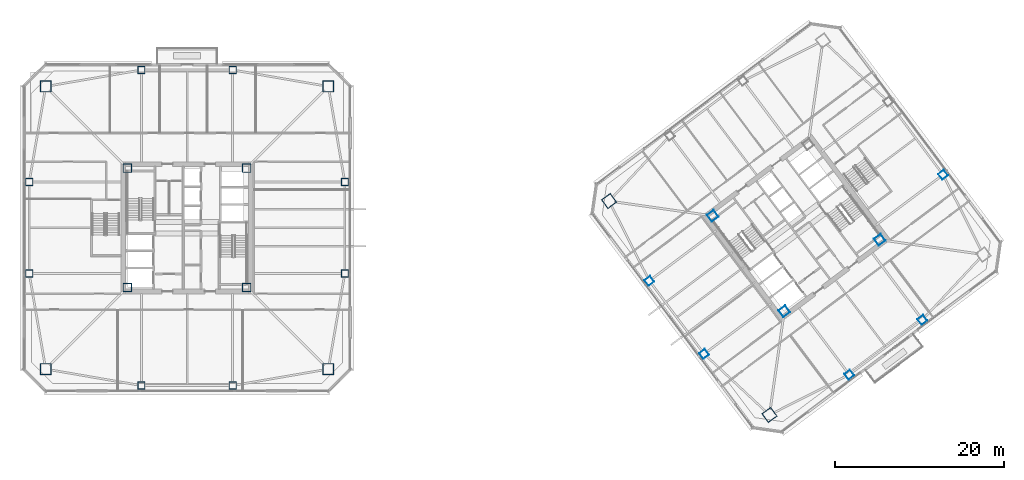
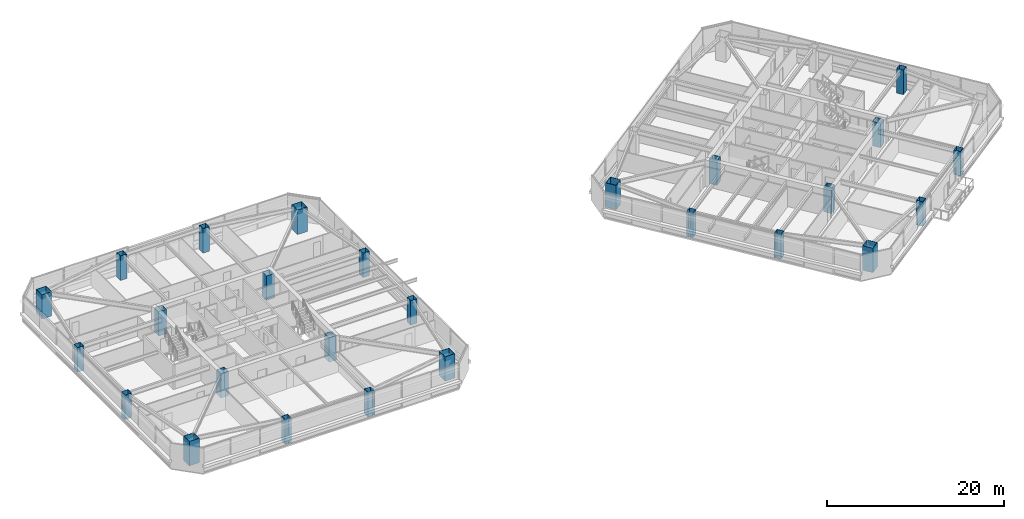
# One storey, part 1 of 46: 26 columns.
"""IFC4 building model written with IfcOpenShell, lengths in metres."""

from ifc_helpers import new_model, si_unit, direction, frame, origin, origin_2d, place, context, subcontext, project, spatial, hollow_rectangle, extrude, material, material_profile, profile_set, type_object, element, save


model = new_model("IFC4")

# Units and contexts
model_context = context("Model", 3, precision=1e-05, world=origin(), true_north=direction((0.0, 1.0)))
body_context = subcontext(model_context, "Body", "Model", "MODEL_VIEW")
ifc_project = project(units=[si_unit("LENGTHUNIT", "METRE"), si_unit("AREAUNIT", "SQUARE_METRE"), si_unit("VOLUMEUNIT", "CUBIC_METRE"), si_unit("PLANEANGLEUNIT", "RADIAN"), si_unit("MASSUNIT", "GRAM", prefix="KILO")], contexts=[model_context])

# Site, building, storey
site_placement = place(None, origin())
site = spatial("IfcSite", under=ifc_project, at=site_placement, CompositionType="ELEMENT")
building_placement = place(site_placement, origin())
building = spatial("IfcBuilding", under=site, at=building_placement, Name="Tashvorn Skyway Center", CompositionType="ELEMENT")
storey_placement = place(building_placement, frame((0.0, 0.0, 139.25)))
storey = spatial("IfcBuildingStorey", under=building, at=storey_placement, Name="L37", CompositionType="ELEMENT", Elevation=139.25)

# Columns
ifc_material = material(Name="Steel ASTM A572 Grade 50", Category="steel")
ifc_material_profile_1 = material_profile(ifc_material, hollow_rectangle(XDim=1.0, YDim=1.0, WallThickness=0.0400390625, at=origin_2d()), Name="BOX1000x1000x40")
ifc_profile_set_1 = profile_set([ifc_material_profile_1], Name="Steel ASTM A572 Grade 50")
column_type_1 = type_object("IfcColumnType", Name="COL-BOX1000x1000x40", PredefinedType="COLUMN", material=ifc_profile_set_1)
for number, where, z_axis, x_axis, name in (
    (1, (34.949951171875, 24.949951171875, 0.0), (0.0, 0.0, 1.0), (1.0, 0.0, 0.0), "Tower 1 L37 Core Corner Column CC-SW"),
    (2, (49.050048828125, 24.949951171875, 0.0), (0.0, 0.0, 1.0), (1.0, 0.0, 0.0), "Tower 1 L37 Core Corner Column CC-SE"),
    (3, (49.050048828125, 39.050048828125, 0.0), (0.0, 0.0, 1.0), (1.0, 0.0, 0.0), "Tower 1 L37 Core Corner Column CC-NE"),
    (4, (34.949951171875, 39.050048828125, 0.0), (0.0, 0.0, 1.0), (1.0, 0.0, 0.0), "Tower 1 L37 Core Corner Column CC-NW"),
    (5, (112.590087890625, 22.1298828125, 0.0), (0.0, 0.0, 1.0), (0.799999996291, 0.600000004945, 0.0), "Tower 2 L37 Core Corner Column CC-SW"),
    (6, (123.8701171875, 30.590087890625, 0.0), (0.0, 0.0, 1.0), (0.799999996291, 0.600000004945, 0.0), "Tower 2 L37 Core Corner Column CC-SE"),
    (7, (104.1298828125, 33.409912109375, 0.0), (0.0, 0.0, 1.0), (0.799999996291, 0.600000004945, 0.0), "Tower 2 L37 Core Corner Column CC-NW"),
):
    element("IfcColumn", number, at=place(storey_placement, frame(where, z_axis=z_axis, x_axis=x_axis)), inside=storey, type_object=column_type_1, Name=name, PredefinedType="COLUMN", context=body_context, shape_type="SweptSolid", body=[
        extrude(hollow_rectangle(XDim=1.0, YDim=1.0, WallThickness=0.0400390625, at=origin_2d()), origin(), (0.0, 0.0, 1.0), 3.3701171875),
    ])
ifc_material_profile_2 = material_profile(ifc_material, hollow_rectangle(XDim=1.300048828125, YDim=1.300048828125, WallThickness=0.050048828125, at=origin_2d()), Name="BOX1300x1300x50")
ifc_profile_set_2 = profile_set([ifc_material_profile_2], Name="Steel ASTM A572 Grade 50")
column_type_2 = type_object("IfcColumnType", Name="COL-BOX1300x1300x50", PredefinedType="COLUMN", material=ifc_profile_set_2)
for number, where, z_axis, x_axis, name in (
    (8, (25.300048828125, 15.300048828125, 0.0), (0.0, 0.0, 1.0), (1.0, 0.0, 0.0), "Tower 1 L37 Mega-Column MC-SW"),
    (9, (58.699951171875, 15.300048828125, 0.0), (0.0, 0.0, 1.0), (1.0, 0.0, 0.0), "Tower 1 L37 Mega-Column MC-SE"),
    (10, (58.699951171875, 48.699951171875, 0.0), (0.0, 0.0, 1.0), (1.0, 0.0, 0.0), "Tower 1 L37 Mega-Column MC-NE"),
    (11, (25.300048828125, 48.699951171875, 0.0), (0.0, 0.0, 1.0), (1.0, 0.0, 0.0), "Tower 1 L37 Mega-Column MC-NW"),
    (12, (110.840087890625, 9.8798828125, 0.0), (0.0, 0.0, 1.0), (0.799999996291, 0.600000004945, 0.0), "Tower 2 L37 Mega-Column MC-SW"),
    (13, (91.8798828125, 35.159912109375, 0.0), (0.0, 0.0, 1.0), (0.799999996291, 0.600000004945, 0.0), "Tower 2 L37 Mega-Column MC-NW"),
):
    element("IfcColumn", number, at=place(storey_placement, frame(where, z_axis=z_axis, x_axis=x_axis)), inside=storey, type_object=column_type_2, Name=name, PredefinedType="COLUMN", context=body_context, shape_type="SweptSolid", body=[
        extrude(hollow_rectangle(XDim=1.300048828125, YDim=1.300048828125, WallThickness=0.050048828125, at=origin_2d()), origin(), (0.0, 0.0, 1.0), 3.3701171875),
    ])
ifc_material_profile_3 = material_profile(ifc_material, hollow_rectangle(XDim=0.85009765625, YDim=0.85009765625, WallThickness=0.034912109375, at=origin_2d()), Name="BOX850x850x35")
ifc_profile_set_3 = profile_set([ifc_material_profile_3], Name="Steel ASTM A572 Grade 50")
column_type_3 = type_object("IfcColumnType", Name="COL-BOX850x850x35", PredefinedType="COLUMN", material=ifc_profile_set_3)
for number, where, z_axis, x_axis, name in (
    (14, (36.60009765625, 13.35009765625, 0.0), (0.0, 0.0, 1.0), (1.0, 0.0, 0.0), "Tower 1 L37 Perimeter Column FC-S1"),
    (15, (47.39990234375, 13.35009765625, 0.0), (0.0, 0.0, 1.0), (1.0, 0.0, 0.0), "Tower 1 L37 Perimeter Column FC-S2"),
    (16, (60.64990234375, 26.60009765625, 0.0), (0.0, 0.0, 1.0), (1.0, 0.0, 0.0), "Tower 1 L37 Perimeter Column FC-E1"),
    (17, (60.64990234375, 37.39990234375, 0.0), (0.0, 0.0, 1.0), (1.0, 0.0, 0.0), "Tower 1 L37 Perimeter Column FC-E2"),
    (18, (47.39990234375, 50.64990234375, 0.0), (0.0, 0.0, 1.0), (1.0, 0.0, 0.0), "Tower 1 L37 Perimeter Column FC-N1"),
    (19, (36.60009765625, 50.64990234375, 0.0), (0.0, 0.0, 1.0), (1.0, 0.0, 0.0), "Tower 1 L37 Perimeter Column FC-N2"),
    (20, (23.35009765625, 37.39990234375, 0.0), (0.0, 0.0, 1.0), (1.0, 0.0, 0.0), "Tower 1 L37 Perimeter Column FC-W1"),
    (21, (23.35009765625, 26.60009765625, 0.0), (0.0, 0.0, 1.0), (1.0, 0.0, 0.0), "Tower 1 L37 Perimeter Column FC-W2"),
    (22, (120.27001953125, 14.639892578125, 0.0), (0.0, 0.0, 1.0), (0.799999996291, 0.600000004945, 0.0), "Tower 2 L37 Perimeter Column FC-S1"),
    (23, (128.909912109375, 21.1201171875, 0.0), (0.0, 0.0, 1.0), (0.799999996291, 0.600000004945, 0.0), "Tower 2 L37 Perimeter Column FC-S2"),
    (24, (131.360107421875, 38.27001953125, 0.0), (0.0, 0.0, 1.0), (0.799999996291, 0.600000004945, 0.0), "Tower 2 L37 Perimeter Column FC-E1"),
    (25, (96.639892578125, 25.72998046875, 0.0), (0.0, 0.0, 1.0), (0.799999996291, 0.600000004945, 0.0), "Tower 2 L37 Perimeter Column FC-W1"),
    (26, (103.1201171875, 17.090087890625, 0.0), (0.0, 0.0, 1.0), (0.799999996291, 0.600000004945, 0.0), "Tower 2 L37 Perimeter Column FC-W2"),
):
    element("IfcColumn", number, at=place(storey_placement, frame(where, z_axis=z_axis, x_axis=x_axis)), inside=storey, type_object=column_type_3, Name=name, PredefinedType="COLUMN", context=body_context, shape_type="SweptSolid", body=[
        extrude(hollow_rectangle(XDim=0.85009765625, YDim=0.85009765625, WallThickness=0.034912109375, at=origin_2d()), origin(), (0.0, 0.0, 1.0), 3.3701171875),
    ])

save(model, "model.ifc")
